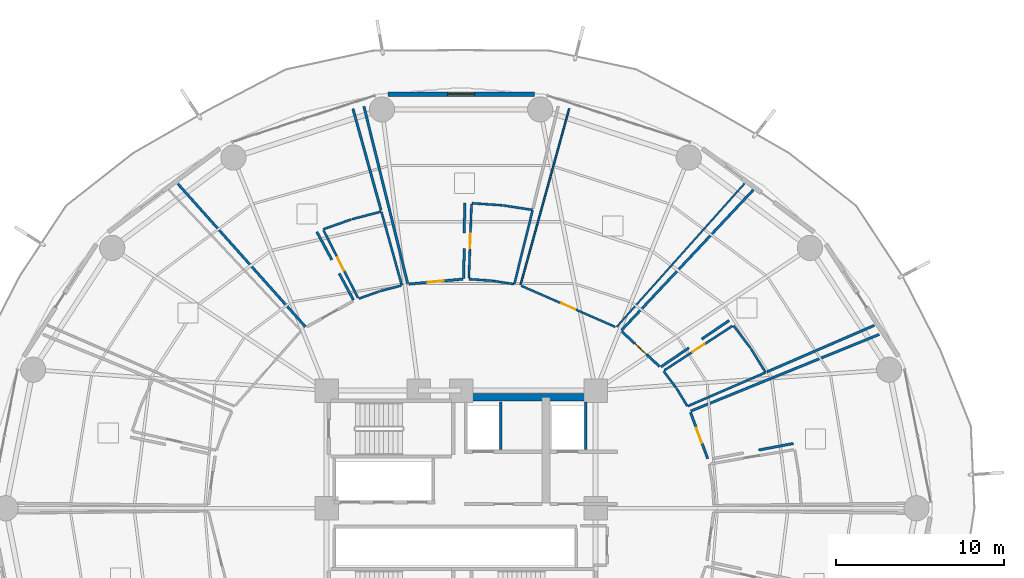
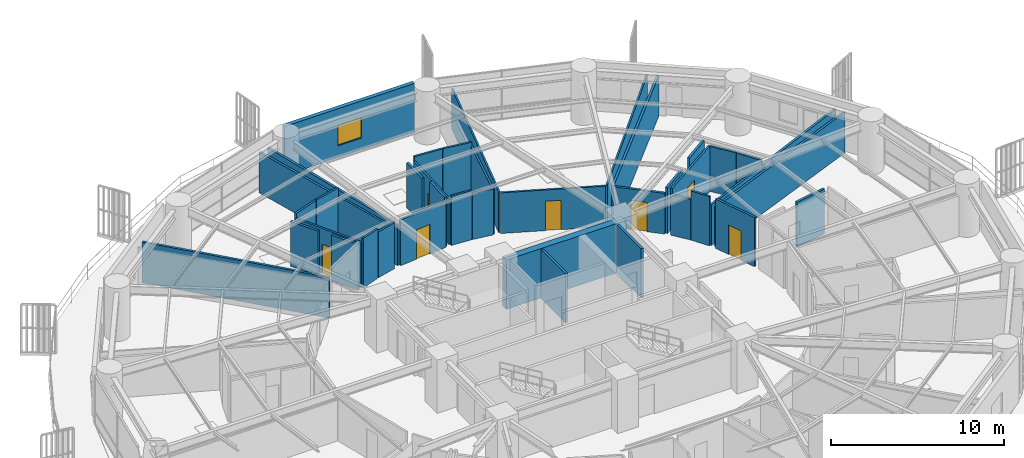
# One storey, part 27 of 33: 41 walls, 7 doors, 1 window, 8 openings.
"""IFC4 building model written with IfcOpenShell, lengths in metres."""

from ifc_helpers import new_model, si_unit, direction, frame, frame_2d, origin, place, context, subcontext, project, spatial, rectangle, extrude, material, layer, layer_set, type_object, element, fill, save


model = new_model("IFC4")

# Units and contexts
model_context = context("Model", 3, precision=1e-05, world=origin(), true_north=direction((0.0, 1.0)))
body_context = subcontext(model_context, "Body", "Model", "MODEL_VIEW")
ifc_project = project(units=[si_unit("LENGTHUNIT", "METRE"), si_unit("AREAUNIT", "SQUARE_METRE"), si_unit("VOLUMEUNIT", "CUBIC_METRE"), si_unit("PLANEANGLEUNIT", "RADIAN"), si_unit("MASSUNIT", "GRAM", prefix="KILO")], contexts=[model_context])

# Site, building, storey
site_placement = place(None, origin())
site = spatial("IfcSite", under=ifc_project, at=site_placement, CompositionType="ELEMENT")
building_placement = place(site_placement, origin())
building = spatial("IfcBuilding", under=site, at=building_placement, Name="Kelanora Arch Commons", CompositionType="ELEMENT")
storey_placement = place(building_placement, frame((0.0, 0.0, 26.25)))
storey = spatial("IfcBuildingStorey", under=building, at=storey_placement, Name="L06", CompositionType="ELEMENT", Elevation=26.25)

# Walls
ifc_material_1 = material(Name="Autoclaved aerated concrete blockwork with fire plaster", Category="masonry")
ifc_layer_1 = layer(ifc_material_1, 0.14990234375)
ifc_layer_set_1 = layer_set([ifc_layer_1], Name="Autoclaved aerated concrete blockwork with fire plaster")
wall_type_1 = type_object("IfcWallType", Name="W-COMP-150", PredefinedType="PARTITIONING", material=ifc_layer_set_1)
for number, where, z_axis, x_axis, name in (
    (1, (76.360107421875, 61.47998046875, 0.0), (0.0, 0.0, 1.0), (0.0, 1.0, 0.0), "Firefighting Lift 1 East Shaft Wall L06"),
    (2, (81.419921875, 61.47998046875, 0.0), (0.0, 0.0, 1.0), (0.0, 1.0, 0.0), "Firefighting Lift 2 East Shaft Wall L06"),
):
    element("IfcWall", number, at=place(storey_placement, frame(where, z_axis=z_axis, x_axis=x_axis)), inside=storey, type_object=wall_type_1, Name=name, PredefinedType="PARTITIONING", context=body_context, shape_type="SweptSolid", body=[
        extrude(rectangle(XDim=2.840087890625, YDim=0.14990234375, at=frame_2d((1.419921875, 0.0))), origin(), (0.0, 0.0, 1.0), 3.47998046875),
    ])

# Wall, opening, door
wall_1_placement = place(storey_placement, frame((88.6669921875, 60.9482421875, 0.0), z_axis=(0.0, 0.0, 1.0), x_axis=(-0.348640514247, 0.937256524024, 0.0)))
wall_1 = element("IfcWall", 3, at=wall_1_placement, inside=storey, type_object=wall_type_1, Name="Co-Living Studio L06-01 Entry Partition", PredefinedType="PARTITIONING", context=body_context, shape_type="SweptSolid", body=[
    extrude(rectangle(XDim=2.943115234375, YDim=0.14990234375, at=frame_2d((1.4716796875, 0.0))), origin(), (0.0, 0.0, 1.0), 3.47998046875),
])
opening_1_placement = place(wall_1_placement, frame((0.9970703125, 0.0, 0.0)))
opening_1 = element("IfcOpeningElement", 4, at=opening_1_placement, cuts=wall_1, Name="Opening D-CLU1", PredefinedType="OPENING", context=body_context, shape_type="SweptSolid", body=[
    extrude(rectangle(XDim=0.949951171875, YDim=2.080078125, at=frame_2d((0.47509765625, 1.0400390625))), frame((0.0, 0.0849609375, 0.0), z_axis=(0.0, -1.0, 0.0), x_axis=(1.0, 0.0, 0.0)), (0.0, 0.0, 1.0), 0.169921875),
])
ifc_material_2 = material(Name="Solid-core acoustic timber cluster entry fire door", Category="wood")
door_type_1 = type_object("IfcDoorType", Name="D-CLU-95", OperationType="NOTDEFINED", PredefinedType="DOOR", material=ifc_material_2)
door_1_placement = place(opening_1_placement, origin())
door_1 = element("IfcDoor", 5, at=door_1_placement, inside=storey, type_object=door_type_1, Name="Co-Living Studio L06-01 Door", OperationType="SINGLE_SWING_RIGHT", OverallHeight=2.080078125, OverallWidth=0.949951171875, PredefinedType="DOOR", context=body_context, shape_type="SweptSolid", body=[
    extrude(rectangle(XDim=0.949951171875, YDim=2.080078125, at=frame_2d((0.47509765625, 1.0400390625))), frame((0.0, 0.02490234375, 0.0), z_axis=(0.0, -1.0, 0.0), x_axis=(1.0, 0.0, 0.0)), (0.0, 0.0, 1.0), 0.050048828125),
])
fill(opening_1, door_1)

wall_2_placement = place(storey_placement, frame((85.805908203125, 66.4248046875, 0.0), z_axis=(0.0, 0.0, 1.0), x_axis=(-0.7329267348, 0.680307578538, 0.0)))
wall_2 = element("IfcWall", 6, at=wall_2_placement, inside=storey, type_object=wall_type_1, Name="Co-Living Studio L06-02 Entry Partition", PredefinedType="PARTITIONING", context=body_context, shape_type="SweptSolid", body=[
    extrude(rectangle(XDim=3.06689453125, YDim=0.14990234375, at=frame_2d((1.533447265625, 0.0))), origin(), (0.0, 0.0, 1.0), 2.875),
])
opening_2_placement = place(wall_2_placement, frame((1.05908203125, 0.0, 0.0)))
opening_2 = element("IfcOpeningElement", 7, at=opening_2_placement, cuts=wall_2, Name="Opening D-CLU1", PredefinedType="OPENING", context=body_context, shape_type="SweptSolid", body=[
    extrude(rectangle(XDim=0.949951171875, YDim=2.080078125, at=frame_2d((0.47509765625, 1.0400390625))), frame((0.0, 0.0849609375, 0.0), z_axis=(0.0, -1.0, 0.0), x_axis=(1.0, 0.0, 0.0)), (0.0, 0.0, 1.0), 0.169921875),
])
door_2_placement = place(opening_2_placement, origin())
door_2 = element("IfcDoor", 8, at=door_2_placement, inside=storey, type_object=door_type_1, Name="Co-Living Studio L06-02 Door", OperationType="SINGLE_SWING_RIGHT", OverallHeight=2.080078125, OverallWidth=0.949951171875, PredefinedType="DOOR", context=body_context, shape_type="SweptSolid", body=[
    extrude(rectangle(XDim=0.949951171875, YDim=2.080078125, at=frame_2d((0.47509765625, 1.0400390625))), frame((0.0, 0.02490234375, 0.0), z_axis=(0.0, -1.0, 0.0), x_axis=(1.0, 0.0, 0.0)), (0.0, 0.0, 1.0), 0.050048828125),
])
fill(opening_2, door_2)

wall_3_placement = place(storey_placement, frame((74.100341796875, 71.62353515625, 0.0), z_axis=(0.0, 0.0, 1.0), x_axis=(-0.995822031417, -0.091315287572, 0.0)))
wall_3 = element("IfcWall", 9, at=wall_3_placement, inside=storey, type_object=wall_type_1, Name="Co-Living Studio L06-04 Entry Partition", PredefinedType="PARTITIONING", context=body_context, shape_type="SweptSolid", body=[
    extrude(rectangle(XDim=3.218994140625, YDim=0.14990234375, at=frame_2d((1.609375, 0.0))), origin(), (0.0, 0.0, 1.0), 3.235107421875),
])
opening_3_placement = place(wall_3_placement, frame((1.135009765625, 0.0, 0.0)))
opening_3 = element("IfcOpeningElement", 10, at=opening_3_placement, cuts=wall_3, Name="Opening D-CLU1", PredefinedType="OPENING", context=body_context, shape_type="SweptSolid", body=[
    extrude(rectangle(XDim=0.949951171875, YDim=2.080078125, at=frame_2d((0.47509765625, 1.0400390625))), frame((0.0, 0.0849609375, 0.0), z_axis=(0.0, -1.0, 0.0), x_axis=(1.0, 0.0, 0.0)), (0.0, 0.0, 1.0), 0.169921875),
])
door_3_placement = place(opening_3_placement, origin())
door_3 = element("IfcDoor", 11, at=door_3_placement, inside=storey, type_object=door_type_1, Name="Co-Living Studio L06-04 Door", OperationType="SINGLE_SWING_LEFT", OverallHeight=2.080078125, OverallWidth=0.949951171875, PredefinedType="DOOR", context=body_context, shape_type="SweptSolid", body=[
    extrude(rectangle(XDim=0.949951171875, YDim=2.080078125, at=frame_2d((0.47509765625, 1.0400390625))), frame((0.0, 0.02490234375, 0.0), z_axis=(0.0, -1.0, 0.0), x_axis=(1.0, 0.0, 0.0)), (0.0, 0.0, 1.0), 0.050048828125),
])
fill(opening_3, door_3)

# Walls
wall_4_placement = place(storey_placement, frame((87.656982421875, 63.778076171875, 0.0), z_axis=(0.0, 0.0, 1.0), x_axis=(0.926333713065, 0.376703931542, 0.0)))
element("IfcWall", 12, at=wall_4_placement, inside=storey, type_object=wall_type_1, Name="Co-Living Studio L06-01 Enclosure Partition 2", PredefinedType="PARTITIONING", context=body_context, shape_type="SweptSolid", body=[
    extrude(rectangle(XDim=12.099365234375, YDim=0.14990234375, at=frame_2d((6.0498046875, 0.0))), origin(), (0.0, 0.0, 1.0), 2.875),
])
wall_5_placement = place(storey_placement, frame((93.7587890625, 61.8505859375, 0.0), z_axis=(0.0, 0.0, 1.0), x_axis=(-0.98260291219, -0.185718919219, 0.0)))
element("IfcWall", 13, at=wall_5_placement, inside=storey, type_object=wall_type_1, Name="Co-Living Studio L06-01 Enclosure Partition 7", PredefinedType="PARTITIONING", context=body_context, shape_type="SweptSolid", body=[
    extrude(rectangle(XDim=2.10205078125, YDim=0.14990234375, at=frame_2d((1.051025390625, 0.0))), origin(), (0.0, 0.0, 1.0), 3.175048828125),
])
wall_6_placement = place(storey_placement, frame((83.54150390625, 68.581298828125, 0.0), z_axis=(0.0, 0.0, 1.0), x_axis=(0.684261294523, 0.729236916796, 0.0)))
element("IfcWall", 14, at=wall_6_placement, inside=storey, type_object=wall_type_1, Name="Co-Living Studio L06-02 Enclosure Partition 2", PredefinedType="PARTITIONING", context=body_context, shape_type="SweptSolid", body=[
    extrude(rectangle(XDim=11.4375, YDim=0.14990234375, at=frame_2d((5.71875, 0.0))), origin(), (0.0, 0.0, 1.0), 2.875),
])
wall_7_placement = place(storey_placement, frame((98.57421875, 68.8740234375, 0.0), z_axis=(0.0, 0.0, 1.0), x_axis=(-0.917736225937, -0.397190407239, 0.0)))
element("IfcWall", 15, at=wall_7_placement, inside=storey, type_object=wall_type_1, Name="Co-Living Studio L06-02 Enclosure Partition 5", PredefinedType="PARTITIONING", context=body_context, shape_type="SweptSolid", body=[
    extrude(rectangle(XDim=6.966552734375, YDim=0.14990234375, at=frame_2d((3.4833984375, 0.0))), origin(), (0.0, 0.0, 1.0), 2.875),
])
wall_8_placement = place(storey_placement, frame((89.93896484375, 69.16552734375, 0.0), z_axis=(0.0, 0.0, 1.0), x_axis=(-0.826811291248, -0.562479411769, 0.0)))
element("IfcWall", 16, at=wall_8_placement, inside=storey, type_object=wall_type_1, Name="Co-Living Studio L06-02 Enclosure Partition 7", PredefinedType="PARTITIONING", context=body_context, shape_type="SweptSolid", body=[
    extrude(rectangle(XDim=1.970947265625, YDim=0.14990234375, at=frame_2d((0.9853515625, 0.0))), origin(), (0.0, 0.0, 1.0), 3.47998046875),
])
wall_9_placement = place(storey_placement, frame((87.548583984375, 67.539306640625, 0.0), z_axis=(0.0, 0.0, 1.0), x_axis=(-0.826867883695, -0.562396215237, 0.0)))
element("IfcWall", 17, at=wall_9_placement, inside=storey, type_object=wall_type_1, Name="Co-Living Studio L06-02 Enclosure Partition 7", PredefinedType="PARTITIONING", context=body_context, shape_type="SweptSolid", body=[
    extrude(rectangle(XDim=2.01416015625, YDim=0.14990234375, at=frame_2d((1.007080078125, 0.0))), origin(), (0.0, 0.0, 1.0), 3.235107421875),
])
wall_10_placement = place(storey_placement, frame((70.825439453125, 71.36279296875, 0.0), z_axis=(0.0, 0.0, 1.0), x_axis=(-0.239971369295, 0.970779965759, 0.0)))
element("IfcWall", 18, at=wall_10_placement, inside=storey, type_object=wall_type_1, Name="Co-Living Studio L06-04 Enclosure Partition 2", PredefinedType="PARTITIONING", context=body_context, shape_type="SweptSolid", body=[
    extrude(rectangle(XDim=10.84619140625, YDim=0.14990234375, at=frame_2d((5.423095703125, 0.0))), origin(), (0.0, 0.0, 1.0), 2.875),
])
wall_11_placement = place(storey_placement, frame((74.214599609375, 76.14599609375, 0.0), z_axis=(0.0, 0.0, 1.0), x_axis=(-0.012119496596, -0.999926556204, 0.0)))
element("IfcWall", 19, at=wall_11_placement, inside=storey, type_object=wall_type_1, Name="Co-Living Studio L06-04 Enclosure Partition 7", PredefinedType="PARTITIONING", context=body_context, shape_type="SweptSolid", body=[
    extrude(rectangle(XDim=1.79296875, YDim=0.14990234375, at=frame_2d((0.896484375, 0.0))), origin(), (0.0, 0.0, 1.0), 3.175048828125),
])
wall_12_placement = place(storey_placement, frame((74.181884765625, 73.43310546875, 0.0), z_axis=(0.0, 0.0, 1.0), x_axis=(-0.01217734225, -0.999925853419, 0.0)))
element("IfcWall", 20, at=wall_12_placement, inside=storey, type_object=wall_type_1, Name="Co-Living Studio L06-04 Enclosure Partition 7", PredefinedType="PARTITIONING", context=body_context, shape_type="SweptSolid", body=[
    extrude(rectangle(XDim=1.764404296875, YDim=0.14990234375, at=frame_2d((0.88232421875, 0.0))), origin(), (0.0, 0.0, 1.0), 3.47998046875),
])
wall_13_placement = place(storey_placement, frame((64.746337890625, 68.788818359375, 0.0), z_axis=(0.0, 0.0, 1.0), x_axis=(-0.66580890104, 0.746122313897, 0.0)))
element("IfcWall", 21, at=wall_13_placement, inside=storey, type_object=wall_type_1, Name="Co-Living Studio L06-05 Enclosure Partition 2", PredefinedType="PARTITIONING", context=body_context, shape_type="SweptSolid", body=[
    extrude(rectangle(XDim=11.3994140625, YDim=0.14990234375, at=frame_2d((5.69970703125, 0.0))), origin(), (0.0, 0.0, 1.0), 2.875),
])
wall_14_placement = place(storey_placement, frame((67.568603515625, 81.759521484375, 0.0), z_axis=(0.0, 0.0, 1.0), x_axis=(0.266691519666, -0.963781942837, 0.0)))
element("IfcWall", 22, at=wall_14_placement, inside=storey, type_object=wall_type_1, Name="Co-Living Studio L06-05 Enclosure Partition 5", PredefinedType="PARTITIONING", context=body_context, shape_type="SweptSolid", body=[
    extrude(rectangle(XDim=6.26806640625, YDim=0.14990234375, at=frame_2d((3.134033203125, 0.0))), origin(), (0.0, 0.0, 1.0), 2.875),
])
wall_15_placement = place(storey_placement, frame((65.4228515625, 74.433837890625, 0.0), z_axis=(0.0, 0.0, 1.0), x_axis=(0.473660949034, -0.880707275637, 0.0)))
element("IfcWall", 23, at=wall_15_placement, inside=storey, type_object=wall_type_1, Name="Co-Living Studio L06-05 Enclosure Partition 7", PredefinedType="PARTITIONING", context=body_context, shape_type="SweptSolid", body=[
    extrude(rectangle(XDim=1.89111328125, YDim=0.14990234375, at=frame_2d((0.945556640625, 0.0))), origin(), (0.0, 0.0, 1.0), 3.175048828125),
])
wall_16_placement = place(storey_placement, frame((66.75439453125, 71.957763671875, 0.0), z_axis=(0.0, 0.0, 1.0), x_axis=(0.473466863657, -0.880811630838, 0.0)))
element("IfcWall", 24, at=wall_16_placement, inside=storey, type_object=wall_type_1, Name="Co-Living Studio L06-05 Enclosure Partition 7", PredefinedType="PARTITIONING", context=body_context, shape_type="SweptSolid", body=[
    extrude(rectangle(XDim=1.79443359375, YDim=0.14990234375, at=frame_2d((0.897216796875, 0.0))), origin(), (0.0, 0.0, 1.0), 3.235107421875),
])
ifc_material_3 = material(Name="Concrete C60/75", Category="concrete")
ifc_layer_2 = layer(ifc_material_3, 0.449951171875)
ifc_layer_set_2 = layer_set([ifc_layer_2], Name="Concrete C60/75")
wall_type_2 = type_object("IfcWallType", Name="W-CORE-450", PredefinedType="SHEAR", material=ifc_layer_set_2)
wall_17_placement = place(storey_placement, frame((74.0, 64.60009765625, 0.0), z_axis=(0.0, 0.0, 1.0), x_axis=(1.0, 0.0, 0.0)))
element("IfcWall", 25, at=wall_17_placement, inside=storey, type_object=wall_type_2, Name="Core Shear Spine L06-CN-E", PredefinedType="SHEAR", context=body_context, shape_type="SweptSolid", body=[
    extrude(rectangle(XDim=8.0, YDim=0.449951171875, at=frame_2d((4.0, 0.0))), origin(), (0.0, 0.0, 1.0), 3.489990234375),
])

# Wall, opening, window
ifc_material_4 = material(Name="Precast concrete C40/50 with terracotta rainscreen", Category="masonry")
ifc_layer_3 = layer(ifc_material_4, 0.260009765625)
ifc_layer_set_3 = layer_set([ifc_layer_3], Name="Precast concrete C40/50 with terracotta rainscreen")
wall_type_3 = type_object("IfcWallType", Name="W-EXT-TC", PredefinedType="SOLIDWALL", material=ifc_layer_set_3)
wall_18_placement = place(storey_placement, frame((78.35595703125, 82.6201171875, 0.0), z_axis=(0.0, 0.0, 1.0), x_axis=(-1.0, 0.0, 0.0)))
wall_18 = element("IfcWall", 26, at=wall_18_placement, inside=storey, type_object=wall_type_3, Name="Terracotta Exterior Wall L06-B04", PredefinedType="SOLIDWALL", context=body_context, shape_type="SweptSolid", body=[
    extrude(rectangle(XDim=8.7119140625, YDim=0.260009765625, at=frame_2d((4.35595703125, 0.0))), origin(), (0.0, 0.0, 1.0), 3.47509765625),
])
opening_4_placement = place(wall_18_placement, frame((3.555908203125, 0.0, 0.85009765625)))
opening_4 = element("IfcOpeningElement", 27, at=opening_4_placement, cuts=wall_18, Name="Opening WN-01", PredefinedType="OPENING", context=body_context, shape_type="SweptSolid", body=[
    extrude(rectangle(XDim=1.60009765625, YDim=1.449951171875, at=frame_2d((0.800048828125, 0.72509765625))), frame((0.0, 0.14013671875, 0.0), z_axis=(0.0, -1.0, 0.0), x_axis=(1.0, 0.0, 0.0)), (0.0, 0.0, 1.0), 0.280029296875),
])
ifc_material_5 = material(Name="Terracotta-anodised aluminium frame with operable low-E glazing", Category="masonry")
window_type = type_object("IfcWindowType", Name="WIN-CL-18", PartitioningType="DOUBLE_PANEL_VERTICAL", PredefinedType="WINDOW", material=ifc_material_5)
window_placement = place(opening_4_placement, origin())
window = element("IfcWindow", 28, at=window_placement, inside=storey, type_object=window_type, Name="Co-Living Operable Window L06-B04", OverallHeight=1.449951171875, OverallWidth=1.60009765625, PartitioningType="SINGLE_PANEL", PredefinedType="WINDOW", context=body_context, shape_type="SweptSolid", body=[
    extrude(rectangle(XDim=1.60009765625, YDim=1.449951171875, at=frame_2d((0.800048828125, 0.72509765625))), frame((0.0, 0.030029296875, 0.0), z_axis=(0.0, -1.0, 0.0), x_axis=(1.0, 0.0, 0.0)), (0.0, 0.0, 1.0), 0.06005859375),
])
fill(opening_4, window)

# Walls
ifc_material_6 = material(Name="Lightweight fire-rated acoustic stud partition")
ifc_layer_4 = layer(ifc_material_6, 0.10009765625)
ifc_layer_set_4 = layer_set([ifc_layer_4], Name="Lightweight fire-rated acoustic stud partition")
wall_type_4 = type_object("IfcWallType", Name="W-PART-100", PredefinedType="PARTITIONING", material=ifc_layer_set_4)
wall_19_placement = place(storey_placement, frame((77.53369140625, 71.28857421875, 0.0), z_axis=(0.0, 0.0, 1.0), x_axis=(0.26671307518, 0.963775977875, 0.0)))
element("IfcWall", 29, at=wall_19_placement, inside=storey, type_object=wall_type_4, Name="Social Sky Lounge L06-03 Enclosure Partition 2", PredefinedType="PARTITIONING", context=body_context, shape_type="SweptSolid", body=[
    extrude(rectangle(XDim=10.864501953125, YDim=0.10009765625, at=frame_2d((5.43212890625, 0.0))), origin(), (0.0, 0.0, 1.0), 2.875),
])
wall_20_placement = place(storey_placement, frame((90.843505859375, 77.294189453125, 0.0), z_axis=(0.0, 0.0, 1.0), x_axis=(-0.66580890104, -0.746122313897, 0.0)))
element("IfcWall", 30, at=wall_20_placement, inside=storey, type_object=wall_type_4, Name="Social Sky Lounge L06-03 Enclosure Partition 4", PredefinedType="PARTITIONING", context=body_context, shape_type="SweptSolid", body=[
    extrude(rectangle(XDim=11.3994140625, YDim=0.10009765625, at=frame_2d((5.69970703125, 0.0))), origin(), (0.0, 0.0, 1.0), 2.875),
])

# Wall, opening, door
ifc_material_7 = material(Name="Acoustic twin-stud fire-rated gypsum partition")
ifc_layer_5 = layer(ifc_material_7, 0.1201171875)
ifc_layer_set_5 = layer_set([ifc_layer_5], Name="Acoustic twin-stud fire-rated gypsum partition")
wall_type_5 = type_object("IfcWallType", Name="W-PART-120", PredefinedType="PARTITIONING", material=ifc_layer_set_5)
wall_21_placement = place(storey_placement, frame((83.172119140625, 68.782958984375, 0.0), z_axis=(0.0, 0.0, 1.0), x_axis=(-0.916419655578, 0.400218708797, 0.0)))
wall_21 = element("IfcWall", 31, at=wall_21_placement, inside=storey, type_object=wall_type_5, Name="Social Sky Lounge L06-03 Entry Partition", PredefinedType="PARTITIONING", context=body_context, shape_type="SweptSolid", body=[
    extrude(rectangle(XDim=6.1044921875, YDim=0.1201171875, at=frame_2d((3.05224609375, 0.0))), origin(), (0.0, 0.0, 1.0), 2.875),
])
opening_5_placement = place(wall_21_placement, frame((2.60205078125, 0.0, 0.0)))
opening_5 = element("IfcOpeningElement", 32, at=opening_5_placement, cuts=wall_21, Name="Opening D-RM1", PredefinedType="OPENING", context=body_context, shape_type="SweptSolid", body=[
    extrude(rectangle(XDim=0.89990234375, YDim=2.080078125, at=frame_2d((0.449951171875, 1.0400390625))), frame((0.0, 0.070068359375, 0.0), z_axis=(0.0, -1.0, 0.0), x_axis=(1.0, 0.0, 0.0)), (0.0, 0.0, 1.0), 0.14013671875),
])
ifc_material_8 = material(Name="Acoustic fire-rated timber study and lounge door", Category="wood")
door_type_2 = type_object("IfcDoorType", Name="D-ROOM-90", OperationType="NOTDEFINED", PredefinedType="DOOR", material=ifc_material_8)
door_4_placement = place(opening_5_placement, origin())
door_4 = element("IfcDoor", 33, at=door_4_placement, inside=storey, type_object=door_type_2, Name="Social Sky Lounge L06-03 Door", OperationType="SINGLE_SWING_LEFT", OverallHeight=2.080078125, OverallWidth=0.89990234375, PredefinedType="DOOR", context=body_context, shape_type="SweptSolid", body=[
    extrude(rectangle(XDim=0.89990234375, YDim=2.080078125, at=frame_2d((0.449951171875, 1.0400390625))), frame((0.0, 0.02490234375, 0.0), z_axis=(0.0, -1.0, 0.0), x_axis=(1.0, 0.0, 0.0)), (0.0, 0.0, 1.0), 0.050048828125),
])
fill(opening_5, door_4)

ifc_material_9 = material(Name="Moisture-resistant fire-rated cement-board plumbing wall")
ifc_layer_6 = layer(ifc_material_9, 0.1298828125)
ifc_layer_set_6 = layer_set([ifc_layer_6], Name="Moisture-resistant fire-rated cement-board plumbing wall")
wall_type_6 = type_object("IfcWallType", Name="W-WET-120", PredefinedType="PLUMBINGWALL", material=ifc_layer_set_6)
wall_22_placement = place(storey_placement, frame((86.083251953125, 66.19970703125, 0.0), z_axis=(0.0, 0.0, 1.0), x_axis=(0.837796261941, 0.545982988267, 0.0)))
wall_22 = element("IfcWall", 34, at=wall_22_placement, inside=storey, type_object=wall_type_6, Name="En-Suite Shower WC L06-02 Entry Partition", PredefinedType="PLUMBINGWALL", context=body_context, shape_type="SweptSolid", body=[
    extrude(rectangle(XDim=4.838134765625, YDim=0.1298828125, at=frame_2d((2.4189453125, 0.0))), origin(), (0.0, 0.0, 1.0), 3.235107421875),
])
opening_6_placement = place(wall_22_placement, frame((1.989013671875, 0.0, 0.0)))
opening_6 = element("IfcOpeningElement", 35, at=opening_6_placement, cuts=wall_22, Name="Opening D-BT1", PredefinedType="OPENING", context=body_context, shape_type="SweptSolid", body=[
    extrude(rectangle(XDim=0.860107421875, YDim=2.050048828125, at=frame_2d((0.43017578125, 1.02490234375))), frame((0.0, 0.074951171875, 0.0), z_axis=(0.0, -1.0, 0.0), x_axis=(1.0, 0.0, 0.0)), (0.0, 0.0, 1.0), 0.14990234375),
])
ifc_material_10 = material(Name="Moisture-sealed fire-rated accessible bathroom door")
door_type_3 = type_object("IfcDoorType", Name="D-BATH-85", OperationType="NOTDEFINED", PredefinedType="DOOR", material=ifc_material_10)
door_5_placement = place(opening_6_placement, origin())
door_5 = element("IfcDoor", 36, at=door_5_placement, inside=storey, type_object=door_type_3, Name="En-Suite Shower WC L06-02 Door", OperationType="SINGLE_SWING_LEFT", OverallHeight=2.050048828125, OverallWidth=0.860107421875, PredefinedType="DOOR", context=body_context, shape_type="SweptSolid", body=[
    extrude(rectangle(XDim=0.860107421875, YDim=2.050048828125, at=frame_2d((0.43017578125, 1.02490234375))), frame((0.0, 0.02490234375, 0.0), z_axis=(0.0, -1.0, 0.0), x_axis=(1.0, 0.0, 0.0)), (0.0, 0.0, 1.0), 0.050048828125),
])
fill(opening_6, door_5)

wall_23_placement = place(storey_placement, frame((74.463134765625, 71.68408203125, 0.0), z_axis=(0.0, 0.0, 1.0), x_axis=(0.035428098094, 0.999372227884, 0.0)))
wall_23 = element("IfcWall", 37, at=wall_23_placement, inside=storey, type_object=wall_type_6, Name="En-Suite Shower WC L06-04 Entry Partition", PredefinedType="PLUMBINGWALL", context=body_context, shape_type="SweptSolid", body=[
    extrude(rectangle(XDim=4.396484375, YDim=0.1298828125, at=frame_2d((2.1982421875, 0.0))), origin(), (0.0, 0.0, 1.0), 3.175048828125),
])
opening_7_placement = place(wall_23_placement, frame((1.76806640625, 0.0, 0.0)))
opening_7 = element("IfcOpeningElement", 38, at=opening_7_placement, cuts=wall_23, Name="Opening D-BT1", PredefinedType="OPENING", context=body_context, shape_type="SweptSolid", body=[
    extrude(rectangle(XDim=0.860107421875, YDim=2.050048828125, at=frame_2d((0.43017578125, 1.02490234375))), frame((0.0, 0.074951171875, 0.0), z_axis=(0.0, -1.0, 0.0), x_axis=(1.0, 0.0, 0.0)), (0.0, 0.0, 1.0), 0.14990234375),
])
door_6_placement = place(opening_7_placement, origin())
door_6 = element("IfcDoor", 39, at=door_6_placement, inside=storey, type_object=door_type_3, Name="En-Suite Shower WC L06-04 Door", OperationType="SINGLE_SWING_RIGHT", OverallHeight=2.050048828125, OverallWidth=0.860107421875, PredefinedType="DOOR", context=body_context, shape_type="SweptSolid", body=[
    extrude(rectangle(XDim=0.860107421875, YDim=2.050048828125, at=frame_2d((0.43017578125, 1.02490234375))), frame((0.0, 0.02490234375, 0.0), z_axis=(0.0, -1.0, 0.0), x_axis=(1.0, 0.0, 0.0)), (0.0, 0.0, 1.0), 0.050048828125),
])
fill(opening_7, door_6)

wall_24_placement = place(storey_placement, frame((67.86962890625, 70.509521484375, 0.0), z_axis=(0.0, 0.0, 1.0), x_axis=(-0.45442479933, 0.890785104138, 0.0)))
wall_24 = element("IfcWall", 40, at=wall_24_placement, inside=storey, type_object=wall_type_6, Name="En-Suite Shower WC L06-05 Entry Partition", PredefinedType="PLUMBINGWALL", context=body_context, shape_type="SweptSolid", body=[
    extrude(rectangle(XDim=4.513916015625, YDim=0.1298828125, at=frame_2d((2.2568359375, 0.0))), origin(), (0.0, 0.0, 1.0), 3.175048828125),
])
opening_8_placement = place(wall_24_placement, frame((1.826904296875, 0.0, 0.0)))
opening_8 = element("IfcOpeningElement", 41, at=opening_8_placement, cuts=wall_24, Name="Opening D-BT1", PredefinedType="OPENING", context=body_context, shape_type="SweptSolid", body=[
    extrude(rectangle(XDim=0.860107421875, YDim=2.050048828125, at=frame_2d((0.43017578125, 1.02490234375))), frame((0.0, 0.074951171875, 0.0), z_axis=(0.0, -1.0, 0.0), x_axis=(1.0, 0.0, 0.0)), (0.0, 0.0, 1.0), 0.14990234375),
])
door_7_placement = place(opening_8_placement, origin())
door_7 = element("IfcDoor", 42, at=door_7_placement, inside=storey, type_object=door_type_3, Name="En-Suite Shower WC L06-05 Door", OperationType="SINGLE_SWING_RIGHT", OverallHeight=2.050048828125, OverallWidth=0.860107421875, PredefinedType="DOOR", context=body_context, shape_type="SweptSolid", body=[
    extrude(rectangle(XDim=0.860107421875, YDim=2.050048828125, at=frame_2d((0.43017578125, 1.02490234375))), frame((0.0, 0.02490234375, 0.0), z_axis=(0.0, -1.0, 0.0), x_axis=(1.0, 0.0, 0.0)), (0.0, 0.0, 1.0), 0.050048828125),
])
fill(opening_8, door_7)

# Walls
wall_25_placement = place(storey_placement, frame((87.45068359375, 64.080078125, 0.0), z_axis=(0.0, 0.0, 1.0), x_axis=(-0.52146609248, 0.853272004928, 0.0)))
element("IfcWall", 43, at=wall_25_placement, inside=storey, type_object=wall_type_6, Name="En-Suite Shower WC L06-02 Enclosure Partition 1", PredefinedType="PLUMBINGWALL", context=body_context, shape_type="SweptSolid", body=[
    extrude(rectangle(XDim=1.22802734375, YDim=0.1298828125, at=frame_2d((0.614013671875, 0.0))), origin(), (0.0, 0.0, 1.0), 3.47998046875),
])
wall_26_placement = place(storey_placement, frame((86.7880859375, 65.160888671875, 0.0), z_axis=(0.0, 0.0, 1.0), x_axis=(-0.600347056143, 0.79973959023, 0.0)))
element("IfcWall", 44, at=wall_26_placement, inside=storey, type_object=wall_type_6, Name="En-Suite Shower WC L06-02 Enclosure Partition 2", PredefinedType="PLUMBINGWALL", context=body_context, shape_type="SweptSolid", body=[
    extrude(rectangle(XDim=1.23779296875, YDim=0.1298828125, at=frame_2d((0.618896484375, 0.0))), origin(), (0.0, 0.0, 1.0), 2.875),
])
wall_27_placement = place(storey_placement, frame((90.19921875, 68.858154296875, 0.0), z_axis=(0.0, 0.0, 1.0), x_axis=(0.60376191721, -0.797164692725, 0.0)))
element("IfcWall", 45, at=wall_27_placement, inside=storey, type_object=wall_type_6, Name="En-Suite Shower WC L06-02 Enclosure Partition 4", PredefinedType="PLUMBINGWALL", context=body_context, shape_type="SweptSolid", body=[
    extrude(rectangle(XDim=1.668701171875, YDim=0.1298828125, at=frame_2d((0.83447265625, 0.0))), origin(), (0.0, 0.0, 1.0), 3.175048828125),
])
wall_28_placement = place(storey_placement, frame((91.2294921875, 67.4951171875, 0.0), z_axis=(0.0, 0.0, 1.0), x_axis=(0.525540089642, -0.850768837099, 0.0)))
element("IfcWall", 46, at=wall_28_placement, inside=storey, type_object=wall_type_6, Name="En-Suite Shower WC L06-02 Enclosure Partition 5", PredefinedType="PLUMBINGWALL", context=body_context, shape_type="SweptSolid", body=[
    extrude(rectangle(XDim=1.6513671875, YDim=0.1298828125, at=frame_2d((0.82568359375, 0.0))), origin(), (0.0, 0.0, 1.0), 3.175048828125),
])
wall_29_placement = place(storey_placement, frame((92.089599609375, 66.065185546875, 0.0), z_axis=(0.0, 0.0, 1.0), x_axis=(-0.917797204715, -0.397049481826, 0.0)))
element("IfcWall", 47, at=wall_29_placement, inside=storey, type_object=wall_type_6, Name="En-Suite Shower WC L06-02 Enclosure Partition 6", PredefinedType="PLUMBINGWALL", context=body_context, shape_type="SweptSolid", body=[
    extrude(rectangle(XDim=5.02294921875, YDim=0.1298828125, at=frame_2d((2.511474609375, 0.0))), origin(), (0.0, 0.0, 1.0), 2.875),
])
wall_30_placement = place(storey_placement, frame((77.145263671875, 71.326904296875, 0.0), z_axis=(0.0, 0.0, 1.0), x_axis=(-0.988427236939, 0.151695739152, 0.0)))
element("IfcWall", 48, at=wall_30_placement, inside=storey, type_object=wall_type_6, Name="En-Suite Shower WC L06-04 Enclosure Partition 1", PredefinedType="PLUMBINGWALL", context=body_context, shape_type="SweptSolid", body=[
    extrude(rectangle(XDim=1.31982421875, YDim=0.1298828125, at=frame_2d((0.659912109375, 0.0))), origin(), (0.0, 0.0, 1.0), 3.235107421875),
])
wall_31_placement = place(storey_placement, frame((75.801025390625, 71.531494140625, 0.0), z_axis=(0.0, 0.0, 1.0), x_axis=(-0.997629018134, 0.068821088175, 0.0)))
element("IfcWall", 49, at=wall_31_placement, inside=storey, type_object=wall_type_6, Name="En-Suite Shower WC L06-04 Enclosure Partition 2", PredefinedType="PLUMBINGWALL", context=body_context, shape_type="SweptSolid", body=[
    extrude(rectangle(XDim=1.3232421875, YDim=0.1298828125, at=frame_2d((0.66162109375, 0.0))), origin(), (0.0, 0.0, 1.0), 3.47998046875),
])
wall_32_placement = place(storey_placement, frame((74.64111328125, 76.13671875, 0.0), z_axis=(0.0, 0.0, 1.0), x_axis=(0.997667905772, -0.06825503493, 0.0)))
element("IfcWall", 50, at=wall_32_placement, inside=storey, type_object=wall_type_6, Name="En-Suite Shower WC L06-04 Enclosure Partition 4", PredefinedType="PLUMBINGWALL", context=body_context, shape_type="SweptSolid", body=[
    extrude(rectangle(XDim=1.7919921875, YDim=0.1298828125, at=frame_2d((0.89599609375, 0.0))), origin(), (0.0, 0.0, 1.0), 3.47998046875),
])
wall_33_placement = place(storey_placement, frame((76.46875, 76.010009765625, 0.0), z_axis=(0.0, 0.0, 1.0), x_axis=(0.988799846431, -0.14924765894, 0.0)))
element("IfcWall", 51, at=wall_33_placement, inside=storey, type_object=wall_type_6, Name="En-Suite Shower WC L06-04 Enclosure Partition 5", PredefinedType="PLUMBINGWALL", context=body_context, shape_type="SweptSolid", body=[
    extrude(rectangle(XDim=1.78955078125, YDim=0.1298828125, at=frame_2d((0.894775390625, 0.0))), origin(), (0.0, 0.0, 1.0), 3.47998046875),
])
wall_34_placement = place(storey_placement, frame((78.253173828125, 75.720703125, 0.0), z_axis=(0.0, 0.0, 1.0), x_axis=(-0.240229117536, -0.970716215528, 0.0)))
element("IfcWall", 52, at=wall_34_placement, inside=storey, type_object=wall_type_6, Name="En-Suite Shower WC L06-04 Enclosure Partition 6", PredefinedType="PLUMBINGWALL", context=body_context, shape_type="SweptSolid", body=[
    extrude(rectangle(XDim=4.50927734375, YDim=0.1298828125, at=frame_2d((2.254638671875, 0.0))), origin(), (0.0, 0.0, 1.0), 3.175048828125),
])
wall_35_placement = place(storey_placement, frame((70.457763671875, 71.244873046875, 0.0), z_axis=(0.0, 0.0, 1.0), x_axis=(-0.967235526128, -0.253880753498, 0.0)))
element("IfcWall", 53, at=wall_35_placement, inside=storey, type_object=wall_type_6, Name="En-Suite Shower WC L06-05 Enclosure Partition 1", PredefinedType="PLUMBINGWALL", context=body_context, shape_type="SweptSolid", body=[
    extrude(rectangle(XDim=1.314453125, YDim=0.1298828125, at=frame_2d((0.6572265625, 0.0))), origin(), (0.0, 0.0, 1.0), 3.235107421875),
])
wall_36_placement = place(storey_placement, frame((69.148193359375, 70.8994140625, 0.0), z_axis=(0.0, 0.0, 1.0), x_axis=(-0.942537812533, -0.33409949408, 0.0)))
element("IfcWall", 54, at=wall_36_placement, inside=storey, type_object=wall_type_6, Name="En-Suite Shower WC L06-05 Enclosure Partition 2", PredefinedType="PLUMBINGWALL", context=body_context, shape_type="SweptSolid", body=[
    extrude(rectangle(XDim=1.307373046875, YDim=0.1298828125, at=frame_2d((0.65380859375, 0.0))), origin(), (0.0, 0.0, 1.0), 3.47998046875),
])
wall_37_placement = place(storey_placement, frame((65.809814453125, 74.590576171875, 0.0), z_axis=(0.0, 0.0, 1.0), x_axis=(0.943615101484, 0.331044619728, 0.0)))
element("IfcWall", 55, at=wall_37_placement, inside=storey, type_object=wall_type_6, Name="En-Suite Shower WC L06-05 Enclosure Partition 4", PredefinedType="PLUMBINGWALL", context=body_context, shape_type="SweptSolid", body=[
    extrude(rectangle(XDim=1.77001953125, YDim=0.1298828125, at=frame_2d((0.885009765625, 0.0))), origin(), (0.0, 0.0, 1.0), 3.47998046875),
])
wall_38_placement = place(storey_placement, frame((67.518310546875, 75.18798828125, 0.0), z_axis=(0.0, 0.0, 1.0), x_axis=(0.967790422801, 0.251757219427, 0.0)))
element("IfcWall", 56, at=wall_38_placement, inside=storey, type_object=wall_type_6, Name="En-Suite Shower WC L06-05 Enclosure Partition 5", PredefinedType="PLUMBINGWALL", context=body_context, shape_type="SweptSolid", body=[
    extrude(rectangle(XDim=1.779541015625, YDim=0.1298828125, at=frame_2d((0.8896484375, 0.0))), origin(), (0.0, 0.0, 1.0), 3.47998046875),
])
wall_39_placement = place(storey_placement, frame((69.265380859375, 75.62158203125, 0.0), z_axis=(0.0, 0.0, 1.0), x_axis=(0.267094578575, -0.963670320232, 0.0)))
element("IfcWall", 57, at=wall_39_placement, inside=storey, type_object=wall_type_6, Name="En-Suite Shower WC L06-05 Enclosure Partition 6", PredefinedType="PLUMBINGWALL", context=body_context, shape_type="SweptSolid", body=[
    extrude(rectangle(XDim=4.516357421875, YDim=0.1298828125, at=frame_2d((2.25830078125, 0.0))), origin(), (0.0, 0.0, 1.0), 2.875),
])

save(model, "model.ifc")
